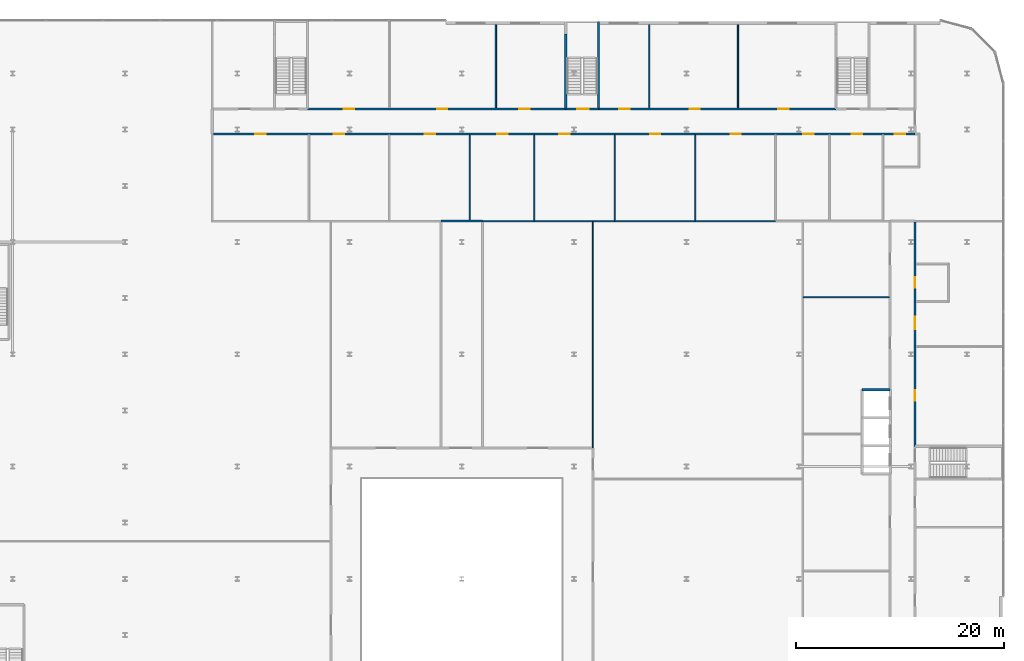
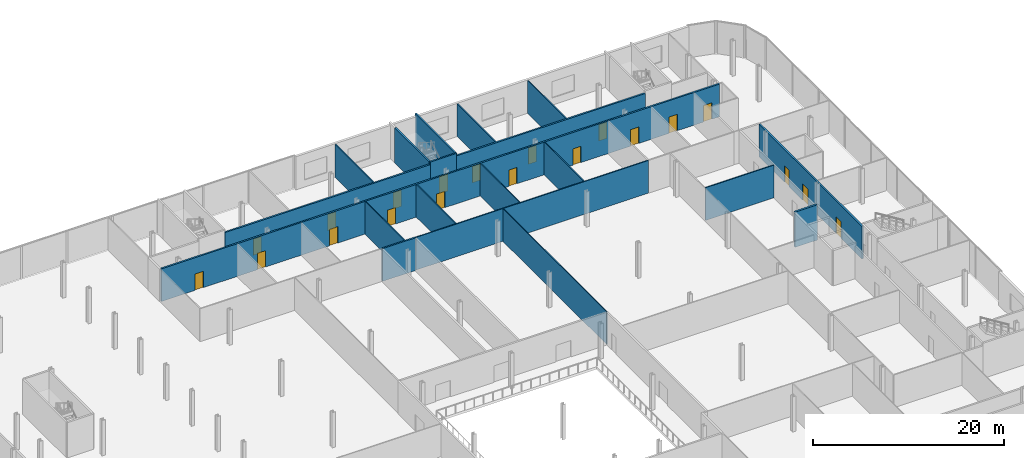
# One storey, part 35 of 47: 20 doors, 19 walls, 20 openings.
"""IFC4 building model written with IfcOpenShell, lengths in metres."""

from ifc_helpers import new_model, si_unit, direction, frame, frame_2d, origin, place, context, subcontext, project, spatial, rectangle, extrude, source, transform, mapped, material, layer, layer_set, type_object, element, fill, save


model = new_model("IFC4")

# Units and contexts
model_context = context("Model", 3, precision=1e-05, world=origin(), true_north=direction((0.0, 1.0)))
body_context = subcontext(model_context, "Body", "Model", "MODEL_VIEW")
ifc_project = project(units=[si_unit("LENGTHUNIT", "METRE"), si_unit("AREAUNIT", "SQUARE_METRE"), si_unit("VOLUMEUNIT", "CUBIC_METRE"), si_unit("PLANEANGLEUNIT", "RADIAN"), si_unit("MASSUNIT", "GRAM", prefix="KILO")], contexts=[model_context])

# Site, building, storey
site_placement = place(None, origin())
site = spatial("IfcSite", under=ifc_project, at=site_placement, CompositionType="ELEMENT")
building_placement = place(site_placement, origin())
building = spatial("IfcBuilding", under=site, at=building_placement, Name="Kheshtan School and Residences Tower", CompositionType="ELEMENT")
storey_placement = place(building_placement, frame((0.0, 0.0, 17.0)))
storey = spatial("IfcBuildingStorey", under=building, at=storey_placement, Name="L03", CompositionType="ELEMENT", Elevation=17.0)

# Walls
ifc_material_1 = material(Name="Gypsum board on steel studs with mineral wool", Category="steel")
ifc_layer_1 = layer(ifc_material_1, 0.125)
ifc_layer_set_1 = layer_set([ifc_layer_1], Name="Acoustic partition 125")
wall_type_1 = type_object("IfcWallType", Name="Acoustic partition 125", PredefinedType="PARTITIONING", material=ifc_layer_set_1)
wall_1_placement = place(storey_placement, frame((80.76904296875, 90.89990234375, 0.0), z_axis=(0.0, 0.0, 1.0), x_axis=(0.0, 1.0, 0.0)))
element("IfcWall", 1, at=wall_1_placement, inside=storey, type_object=wall_type_1, Name="Partition L03-039", PredefinedType="PARTITIONING", context=body_context, shape_type="SweptSolid", body=[
    extrude(rectangle(XDim=8.2001953125, YDim=0.125, at=frame_2d((4.10009765625, 0.0))), origin(), (0.0, 0.0, 1.0), 4.179931640625),
])
wall_2_placement = place(storey_placement, frame((82.0, 90.800048828125, 0.0), z_axis=(0.0, 0.0, 1.0), x_axis=(1.0, 0.0, 0.0)))
element("IfcWall", 2, at=wall_2_placement, inside=storey, type_object=wall_type_1, Name="Partition L03-041", PredefinedType="PARTITIONING", context=body_context, shape_type="SweptSolid", body=[
    extrude(rectangle(XDim=28.18310546875, YDim=0.125, at=frame_2d((14.091552734375, 0.0))), origin(), (0.0, 0.0, 1.0), 4.179931640625),
])
for number, where, z_axis, x_axis, name in (
    (3, (86.9619140625, 90.862060546875, 0.0), (0.0, 0.0, 1.0), (0.0, 1.0, 0.0), "Partition L03-043"),
    (4, (94.701904296875, 90.862060546875, 0.0), (0.0, 0.0, 1.0), (0.0, 1.0, 0.0), "Partition L03-058"),
):
    element("IfcWall", number, at=place(storey_placement, frame(where, z_axis=z_axis, x_axis=x_axis)), inside=storey, type_object=wall_type_1, Name=name, PredefinedType="PARTITIONING", context=body_context, shape_type="SweptSolid", body=[
        extrude(rectangle(XDim=8.238037109375, YDim=0.125, at=frame_2d((4.119140625, 0.0))), origin(), (0.0, 0.0, 1.0), 4.179931640625),
    ])
wall_3_placement = place(storey_placement, frame((98.037109375, 101.699951171875, 0.0), z_axis=(0.0, 0.0, 1.0), x_axis=(0.0, 1.0, 0.0)))
element("IfcWall", 5, at=wall_3_placement, inside=storey, type_object=wall_type_1, Name="Partition L03-059", PredefinedType="PARTITIONING", context=body_context, shape_type="SweptSolid", body=[
    extrude(rectangle(XDim=8.0009765625, YDim=0.125, at=frame_2d((4.00048828125, 0.0))), origin(), (0.0, 0.0, 1.0), 4.179931640625),
])
wall_4_placement = place(storey_placement, frame((102.443115234375, 90.862060546875, 0.0), z_axis=(0.0, 0.0, 1.0), x_axis=(0.0, 1.0, 0.0)))
element("IfcWall", 6, at=wall_4_placement, inside=storey, type_object=wall_type_1, Name="Partition L03-060", PredefinedType="PARTITIONING", context=body_context, shape_type="SweptSolid", body=[
    extrude(rectangle(XDim=8.238037109375, YDim=0.125, at=frame_2d((4.119140625, 0.0))), origin(), (0.0, 0.0, 1.0), 4.179931640625),
])
wall_5_placement = place(storey_placement, frame((106.55810546875, 101.699951171875, 0.0), z_axis=(0.0, 0.0, 1.0), x_axis=(0.0, 1.0, 0.0)))
element("IfcWall", 7, at=wall_5_placement, inside=storey, type_object=wall_type_1, Name="Partition L03-063", PredefinedType="PARTITIONING", context=body_context, shape_type="SweptSolid", body=[
    extrude(rectangle(XDim=8.0009765625, YDim=0.125, at=frame_2d((4.00048828125, 0.0))), origin(), (0.0, 0.0, 1.0), 4.179931640625),
])
wall_6_placement = place(storey_placement, frame((112.862060546875, 83.487060546875, 0.0), z_axis=(0.0, 0.0, 1.0), x_axis=(1.0, 0.0, 0.0)))
element("IfcWall", 8, at=wall_6_placement, inside=storey, type_object=wall_type_1, Name="Partition L03-072", PredefinedType="PARTITIONING", context=body_context, shape_type="SweptSolid", body=[
    extrude(rectangle(XDim=8.238037109375, YDim=0.125, at=frame_2d((4.119140625, 0.0))), origin(), (0.0, 0.0, 1.0), 4.179931640625),
])

# Wall, openings, doors
ifc_material_2 = material(Name="Gypsum board on steel studs with fire boards", Category="steel")
ifc_layer_2 = layer(ifc_material_2, 0.199951171875)
ifc_layer_set_2 = layer_set([ifc_layer_2], Name="Corridor wall 200")
wall_type_2 = type_object("IfcWallType", Name="Corridor wall 200", PredefinedType="PARTITIONING", material=ifc_layer_set_2)
wall_7_placement = place(storey_placement, frame((56.10009765625, 99.199951171875, 0.0), z_axis=(0.0, 0.0, 1.0), x_axis=(1.0, 0.0, 0.0)))
wall_7 = element("IfcWall", 9, at=wall_7_placement, inside=storey, type_object=wall_type_2, Name="Partition L03-024", PredefinedType="PARTITIONING", context=body_context, shape_type="SweptSolid", body=[
    extrude(rectangle(XDim=67.5, YDim=0.199951171875, at=frame_2d((33.75, 0.0))), origin(), (0.0, 0.0, 1.0), 4.179931640625),
])
opening_1_placement = place(wall_7_placement, frame((4.050048828125, 0.0, 0.0)))
opening_1 = element("IfcOpeningElement", 10, at=opening_1_placement, cuts=wall_7, Name="Opening D03-013", PredefinedType="OPENING", context=body_context, shape_type="SweptSolid", body=[
    extrude(rectangle(XDim=1.0, YDim=2.10009765625, at=frame_2d((0.5, 1.050048828125))), frame((0.0, 0.10986328125, 0.0), z_axis=(0.0, -1.0, 0.0), x_axis=(1.0, 0.0, 0.0)), (0.0, 0.0, 1.0), 0.219970703125),
])
opening_2_placement = place(wall_7_placement, frame((65.553955078125, 0.0, 0.0)))
opening_2 = element("IfcOpeningElement", 11, at=opening_2_placement, cuts=wall_7, Name="Opening D03-014", PredefinedType="OPENING", context=body_context, shape_type="SweptSolid", body=[
    extrude(rectangle(XDim=1.0, YDim=2.10009765625, at=frame_2d((0.5, 1.050048828125))), frame((0.0, 0.10986328125, 0.0), z_axis=(0.0, -1.0, 0.0), x_axis=(1.0, 0.0, 0.0)), (0.0, 0.0, 1.0), 0.219970703125),
])
opening_3_placement = place(wall_7_placement, frame((11.589111328125, 0.0, 0.0)))
opening_3 = element("IfcOpeningElement", 12, at=opening_3_placement, cuts=wall_7, Name="Opening D03-016", PredefinedType="OPENING", context=body_context, shape_type="SweptSolid", body=[
    extrude(rectangle(XDim=1.0, YDim=2.10009765625, at=frame_2d((0.5, 1.050048828125))), frame((0.0, 0.10986328125, 0.0), z_axis=(0.0, -1.0, 0.0), x_axis=(1.0, 0.0, 0.0)), (0.0, 0.0, 1.0), 0.219970703125),
])
opening_4_placement = place(wall_7_placement, frame((20.3291015625, 0.0, 0.0)))
opening_4 = element("IfcOpeningElement", 13, at=opening_4_placement, cuts=wall_7, Name="Opening D03-017", PredefinedType="OPENING", context=body_context, shape_type="SweptSolid", body=[
    extrude(rectangle(XDim=1.0, YDim=2.10009765625, at=frame_2d((0.5, 1.050048828125))), frame((0.0, 0.10986328125, 0.0), z_axis=(0.0, -1.0, 0.0), x_axis=(1.0, 0.0, 0.0)), (0.0, 0.0, 1.0), 0.219970703125),
])
opening_5_placement = place(wall_7_placement, frame((27.319091796875, 0.0, 0.0)))
opening_5 = element("IfcOpeningElement", 14, at=opening_5_placement, cuts=wall_7, Name="Opening D03-018", PredefinedType="OPENING", context=body_context, shape_type="SweptSolid", body=[
    extrude(rectangle(XDim=1.0, YDim=2.10009765625, at=frame_2d((0.5, 1.050048828125))), frame((0.0, 0.10986328125, 0.0), z_axis=(0.0, -1.0, 0.0), x_axis=(1.0, 0.0, 0.0)), (0.0, 0.0, 1.0), 0.219970703125),
])
opening_6_placement = place(wall_7_placement, frame((33.261962890625, 0.0, 0.0)))
opening_6 = element("IfcOpeningElement", 15, at=opening_6_placement, cuts=wall_7, Name="Opening D03-019", PredefinedType="OPENING", context=body_context, shape_type="SweptSolid", body=[
    extrude(rectangle(XDim=1.0, YDim=2.10009765625, at=frame_2d((0.5, 1.050048828125))), frame((0.0, 0.10986328125, 0.0), z_axis=(0.0, -1.0, 0.0), x_axis=(1.0, 0.0, 0.0)), (0.0, 0.0, 1.0), 0.219970703125),
])
opening_7_placement = place(wall_7_placement, frame((42.001953125, 0.0, 0.0)))
opening_7 = element("IfcOpeningElement", 16, at=opening_7_placement, cuts=wall_7, Name="Opening D03-020", PredefinedType="OPENING", context=body_context, shape_type="SweptSolid", body=[
    extrude(rectangle(XDim=1.0, YDim=2.10009765625, at=frame_2d((0.5, 1.050048828125))), frame((0.0, 0.10986328125, 0.0), z_axis=(0.0, -1.0, 0.0), x_axis=(1.0, 0.0, 0.0)), (0.0, 0.0, 1.0), 0.219970703125),
])
opening_8_placement = place(wall_7_placement, frame((49.742919921875, 0.0, 0.0)))
opening_8 = element("IfcOpeningElement", 17, at=opening_8_placement, cuts=wall_7, Name="Opening D03-021", PredefinedType="OPENING", context=body_context, shape_type="SweptSolid", body=[
    extrude(rectangle(XDim=1.0, YDim=2.10009765625, at=frame_2d((0.5, 1.050048828125))), frame((0.0, 0.10986328125, 0.0), z_axis=(0.0, -1.0, 0.0), x_axis=(1.0, 0.0, 0.0)), (0.0, 0.0, 1.0), 0.219970703125),
])
opening_9_placement = place(wall_7_placement, frame((56.73291015625, 0.0, 0.0)))
opening_9 = element("IfcOpeningElement", 18, at=opening_9_placement, cuts=wall_7, Name="Opening D03-022", PredefinedType="OPENING", context=body_context, shape_type="SweptSolid", body=[
    extrude(rectangle(XDim=1.0, YDim=2.10009765625, at=frame_2d((0.5, 1.050048828125))), frame((0.0, 0.10986328125, 0.0), z_axis=(0.0, -1.0, 0.0), x_axis=(1.0, 0.0, 0.0)), (0.0, 0.0, 1.0), 0.219970703125),
])
opening_10_placement = place(wall_7_placement, frame((61.39404296875, 0.0, 0.0)))
opening_10 = element("IfcOpeningElement", 19, at=opening_10_placement, cuts=wall_7, Name="Opening D03-023", PredefinedType="OPENING", context=body_context, shape_type="SweptSolid", body=[
    extrude(rectangle(XDim=1.0, YDim=2.10009765625, at=frame_2d((0.5, 1.050048828125))), frame((0.0, 0.10986328125, 0.0), z_axis=(0.0, -1.0, 0.0), x_axis=(1.0, 0.0, 0.0)), (0.0, 0.0, 1.0), 0.219970703125),
])
ifc_material_3 = material(Name="Steel-framed fire-resisting door leaf", Category="steel")
door_type_1 = type_object("IfcDoorType", Name="Fire door FD60 1000 x 2100", OperationType="SINGLE_SWING_LEFT", PredefinedType="DOOR", material=ifc_material_3)
shared_shape_1 = source(origin(), body_context, "Body", "SweptSolid", [
    extrude(rectangle(XDim=1.0, YDim=2.10009765625, at=frame_2d((0.5, 1.050048828125))), frame((0.0, 0.02490234375, 0.0), z_axis=(0.0, -1.0, 0.0), x_axis=(1.0, 0.0, 0.0)), (0.0, 0.0, 1.0), 0.050048828125),
])
door_1_placement = place(opening_1_placement, origin())
door_1 = element("IfcDoor", 20, at=door_1_placement, inside=storey, type_object=door_type_1, Name="Door D03-013", OperationType="SINGLE_SWING_LEFT", OverallHeight=2.10009765625, OverallWidth=1.0, PredefinedType="DOOR", context=body_context, shape_type="MappedRepresentation", body=[
    mapped(shared_shape_1, transform((0.0, 0.0, 0.0), x_axis=(1.0, 0.0, 0.0), y_axis=(0.0, 1.0, 0.0), z_axis=(0.0, 0.0, 1.0), scale=1.0)),
])
fill(opening_1, door_1)
door_2_placement = place(opening_2_placement, origin())
door_2 = element("IfcDoor", 21, at=door_2_placement, inside=storey, type_object=door_type_1, Name="Door D03-014", OperationType="SINGLE_SWING_RIGHT", OverallHeight=2.10009765625, OverallWidth=1.0, PredefinedType="DOOR", context=body_context, shape_type="MappedRepresentation", body=[
    mapped(shared_shape_1, transform((0.0, 0.0, 0.0), x_axis=(1.0, 0.0, 0.0), y_axis=(0.0, 1.0, 0.0), z_axis=(0.0, 0.0, 1.0), scale=1.0)),
])
fill(opening_2, door_2)
door_3_placement = place(opening_3_placement, origin())
door_3 = element("IfcDoor", 22, at=door_3_placement, inside=storey, type_object=door_type_1, Name="Door D03-016", OperationType="SINGLE_SWING_LEFT", OverallHeight=2.10009765625, OverallWidth=1.0, PredefinedType="DOOR", context=body_context, shape_type="MappedRepresentation", body=[
    mapped(shared_shape_1, transform((0.0, 0.0, 0.0), x_axis=(1.0, 0.0, 0.0), y_axis=(0.0, 1.0, 0.0), z_axis=(0.0, 0.0, 1.0), scale=1.0)),
])
fill(opening_3, door_3)
door_4_placement = place(opening_4_placement, origin())
door_4 = element("IfcDoor", 23, at=door_4_placement, inside=storey, type_object=door_type_1, Name="Door D03-017", OperationType="SINGLE_SWING_RIGHT", OverallHeight=2.10009765625, OverallWidth=1.0, PredefinedType="DOOR", context=body_context, shape_type="MappedRepresentation", body=[
    mapped(shared_shape_1, transform((0.0, 0.0, 0.0), x_axis=(1.0, 0.0, 0.0), y_axis=(0.0, 1.0, 0.0), z_axis=(0.0, 0.0, 1.0), scale=1.0)),
])
fill(opening_4, door_4)
door_5_placement = place(opening_5_placement, origin())
door_5 = element("IfcDoor", 24, at=door_5_placement, inside=storey, type_object=door_type_1, Name="Door D03-018", OperationType="SINGLE_SWING_RIGHT", OverallHeight=2.10009765625, OverallWidth=1.0, PredefinedType="DOOR", context=body_context, shape_type="MappedRepresentation", body=[
    mapped(shared_shape_1, transform((0.0, 0.0, 0.0), x_axis=(1.0, 0.0, 0.0), y_axis=(0.0, 1.0, 0.0), z_axis=(0.0, 0.0, 1.0), scale=1.0)),
])
fill(opening_5, door_5)
door_6_placement = place(opening_6_placement, origin())
door_6 = element("IfcDoor", 25, at=door_6_placement, inside=storey, type_object=door_type_1, Name="Door D03-019", OperationType="SINGLE_SWING_RIGHT", OverallHeight=2.10009765625, OverallWidth=1.0, PredefinedType="DOOR", context=body_context, shape_type="MappedRepresentation", body=[
    mapped(shared_shape_1, transform((0.0, 0.0, 0.0), x_axis=(1.0, 0.0, 0.0), y_axis=(0.0, 1.0, 0.0), z_axis=(0.0, 0.0, 1.0), scale=1.0)),
])
fill(opening_6, door_6)
door_7_placement = place(opening_7_placement, origin())
door_7 = element("IfcDoor", 26, at=door_7_placement, inside=storey, type_object=door_type_1, Name="Door D03-020", OperationType="SINGLE_SWING_LEFT", OverallHeight=2.10009765625, OverallWidth=1.0, PredefinedType="DOOR", context=body_context, shape_type="MappedRepresentation", body=[
    mapped(shared_shape_1, transform((0.0, 0.0, 0.0), x_axis=(1.0, 0.0, 0.0), y_axis=(0.0, 1.0, 0.0), z_axis=(0.0, 0.0, 1.0), scale=1.0)),
])
fill(opening_7, door_7)
door_8_placement = place(opening_8_placement, origin())
door_8 = element("IfcDoor", 27, at=door_8_placement, inside=storey, type_object=door_type_1, Name="Door D03-021", OperationType="SINGLE_SWING_RIGHT", OverallHeight=2.10009765625, OverallWidth=1.0, PredefinedType="DOOR", context=body_context, shape_type="MappedRepresentation", body=[
    mapped(shared_shape_1, transform((0.0, 0.0, 0.0), x_axis=(1.0, 0.0, 0.0), y_axis=(0.0, 1.0, 0.0), z_axis=(0.0, 0.0, 1.0), scale=1.0)),
])
fill(opening_8, door_8)
door_9_placement = place(opening_9_placement, origin())
door_9 = element("IfcDoor", 28, at=door_9_placement, inside=storey, type_object=door_type_1, Name="Door D03-022", OperationType="SINGLE_SWING_LEFT", OverallHeight=2.10009765625, OverallWidth=1.0, PredefinedType="DOOR", context=body_context, shape_type="MappedRepresentation", body=[
    mapped(shared_shape_1, transform((0.0, 0.0, 0.0), x_axis=(1.0, 0.0, 0.0), y_axis=(0.0, 1.0, 0.0), z_axis=(0.0, 0.0, 1.0), scale=1.0)),
])
fill(opening_9, door_9)
door_10_placement = place(opening_10_placement, origin())
door_10 = element("IfcDoor", 29, at=door_10_placement, inside=storey, type_object=door_type_1, Name="Door D03-023", OperationType="SINGLE_SWING_LEFT", OverallHeight=2.10009765625, OverallWidth=1.0, PredefinedType="DOOR", context=body_context, shape_type="MappedRepresentation", body=[
    mapped(shared_shape_1, transform((0.0, 0.0, 0.0), x_axis=(1.0, 0.0, 0.0), y_axis=(0.0, 1.0, 0.0), z_axis=(0.0, 0.0, 1.0), scale=1.0)),
])
fill(opening_10, door_10)

wall_8_placement = place(storey_placement, frame((65.14990234375, 101.60009765625, 0.0), z_axis=(0.0, 0.0, 1.0), x_axis=(1.0, 0.0, 0.0)))
wall_8 = element("IfcWall", 30, at=wall_8_placement, inside=storey, type_object=wall_type_2, Name="Partition L03-026", PredefinedType="PARTITIONING", context=body_context, shape_type="SweptSolid", body=[
    extrude(rectangle(XDim=24.85009765625, YDim=0.199951171875, at=frame_2d((12.425048828125, 0.0))), origin(), (0.0, 0.0, 1.0), 4.179931640625),
])
opening_11_placement = place(wall_8_placement, frame((3.491943359375, 0.0, 0.0)))
opening_11 = element("IfcOpeningElement", 31, at=opening_11_placement, cuts=wall_8, Name="Opening D03-025", PredefinedType="OPENING", context=body_context, shape_type="SweptSolid", body=[
    extrude(rectangle(XDim=1.0, YDim=2.10009765625, at=frame_2d((0.5, 1.050048828125))), frame((0.0, 0.10986328125, 0.0), z_axis=(0.0, -1.0, 0.0), x_axis=(1.0, 0.0, 0.0)), (0.0, 0.0, 1.0), 0.219970703125),
])
opening_12_placement = place(wall_8_placement, frame((12.467041015625, 0.0, 0.0)))
opening_12 = element("IfcOpeningElement", 32, at=opening_12_placement, cuts=wall_8, Name="Opening D03-026", PredefinedType="OPENING", context=body_context, shape_type="SweptSolid", body=[
    extrude(rectangle(XDim=1.0, YDim=2.10009765625, at=frame_2d((0.5, 1.050048828125))), frame((0.0, 0.10986328125, 0.0), z_axis=(0.0, -1.0, 0.0), x_axis=(1.0, 0.0, 0.0)), (0.0, 0.0, 1.0), 0.219970703125),
])
opening_13_placement = place(wall_8_placement, frame((20.39794921875, 0.0, 0.0)))
opening_13 = element("IfcOpeningElement", 33, at=opening_13_placement, cuts=wall_8, Name="Opening D03-027", PredefinedType="OPENING", context=body_context, shape_type="SweptSolid", body=[
    extrude(rectangle(XDim=1.0, YDim=2.10009765625, at=frame_2d((0.5, 1.050048828125))), frame((0.0, 0.10986328125, 0.0), z_axis=(0.0, -1.0, 0.0), x_axis=(1.0, 0.0, 0.0)), (0.0, 0.0, 1.0), 0.219970703125),
])
door_11_placement = place(opening_11_placement, origin())
door_11 = element("IfcDoor", 34, at=door_11_placement, inside=storey, type_object=door_type_1, Name="Door D03-025", OperationType="SINGLE_SWING_LEFT", OverallHeight=2.10009765625, OverallWidth=1.0, PredefinedType="DOOR", context=body_context, shape_type="MappedRepresentation", body=[
    mapped(shared_shape_1, transform((0.0, 0.0, 0.0), x_axis=(1.0, 0.0, 0.0), y_axis=(0.0, 1.0, 0.0), z_axis=(0.0, 0.0, 1.0), scale=1.0)),
])
fill(opening_11, door_11)
door_12_placement = place(opening_12_placement, origin())
door_12 = element("IfcDoor", 35, at=door_12_placement, inside=storey, type_object=door_type_1, Name="Door D03-026", OperationType="SINGLE_SWING_LEFT", OverallHeight=2.10009765625, OverallWidth=1.0, PredefinedType="DOOR", context=body_context, shape_type="MappedRepresentation", body=[
    mapped(shared_shape_1, transform((0.0, 0.0, 0.0), x_axis=(1.0, 0.0, 0.0), y_axis=(0.0, 1.0, 0.0), z_axis=(0.0, 0.0, 1.0), scale=1.0)),
])
fill(opening_12, door_12)
door_13_placement = place(opening_13_placement, origin())
door_13 = element("IfcDoor", 36, at=door_13_placement, inside=storey, type_object=door_type_1, Name="Door D03-027", OperationType="SINGLE_SWING_RIGHT", OverallHeight=2.10009765625, OverallWidth=1.0, PredefinedType="DOOR", context=body_context, shape_type="MappedRepresentation", body=[
    mapped(shared_shape_1, transform((0.0, 0.0, 0.0), x_axis=(1.0, 0.0, 0.0), y_axis=(0.0, 1.0, 0.0), z_axis=(0.0, 0.0, 1.0), scale=1.0)),
])
fill(opening_13, door_13)

# Wall
wall_9_placement = place(storey_placement, frame((78.0, 90.800048828125, 0.0), z_axis=(0.0, 0.0, 1.0), x_axis=(1.0, 0.0, 0.0)))
element("IfcWall", 37, at=wall_9_placement, inside=storey, type_object=wall_type_2, Name="Partition L03-037", PredefinedType="PARTITIONING", context=body_context, shape_type="SweptSolid", body=[
    extrude(rectangle(XDim=4.0, YDim=0.199951171875, at=frame_2d((2.0, 0.0))), origin(), (0.0, 0.0, 1.0), 4.179931640625),
])

# Wall, openings, doors
wall_10_placement = place(storey_placement, frame((93.14990234375, 101.60009765625, 0.0), z_axis=(0.0, 0.0, 1.0), x_axis=(1.0, 0.0, 0.0)))
wall_10 = element("IfcWall", 38, at=wall_10_placement, inside=storey, type_object=wall_type_2, Name="Partition L03-057", PredefinedType="PARTITIONING", context=body_context, shape_type="SweptSolid", body=[
    extrude(rectangle(XDim=22.85009765625, YDim=0.199951171875, at=frame_2d((11.425048828125, 0.0))), origin(), (0.0, 0.0, 1.0), 4.179931640625),
])
opening_14_placement = place(wall_10_placement, frame((1.987060546875, 0.0, 0.0)))
opening_14 = element("IfcOpeningElement", 39, at=opening_14_placement, cuts=wall_10, Name="Opening D03-028", PredefinedType="OPENING", context=body_context, shape_type="SweptSolid", body=[
    extrude(rectangle(XDim=1.0, YDim=2.10009765625, at=frame_2d((0.5, 1.050048828125))), frame((0.0, 0.10986328125, 0.0), z_axis=(0.0, -1.0, 0.0), x_axis=(1.0, 0.0, 0.0)), (0.0, 0.0, 1.0), 0.219970703125),
])
opening_15_placement = place(wall_10_placement, frame((8.758056640625, 0.0, 0.0)))
opening_15 = element("IfcOpeningElement", 40, at=opening_15_placement, cuts=wall_10, Name="Opening D03-029", PredefinedType="OPENING", context=body_context, shape_type="SweptSolid", body=[
    extrude(rectangle(XDim=1.0, YDim=2.10009765625, at=frame_2d((0.5, 1.050048828125))), frame((0.0, 0.10986328125, 0.0), z_axis=(0.0, -1.0, 0.0), x_axis=(1.0, 0.0, 0.0)), (0.0, 0.0, 1.0), 0.219970703125),
])
opening_16_placement = place(wall_10_placement, frame((17.279052734375, 0.0, 0.0)))
opening_16 = element("IfcOpeningElement", 41, at=opening_16_placement, cuts=wall_10, Name="Opening D03-030", PredefinedType="OPENING", context=body_context, shape_type="SweptSolid", body=[
    extrude(rectangle(XDim=1.0, YDim=2.10009765625, at=frame_2d((0.5, 1.050048828125))), frame((0.0, 0.10986328125, 0.0), z_axis=(0.0, -1.0, 0.0), x_axis=(1.0, 0.0, 0.0)), (0.0, 0.0, 1.0), 0.219970703125),
])
door_14_placement = place(opening_14_placement, origin())
door_14 = element("IfcDoor", 42, at=door_14_placement, inside=storey, type_object=door_type_1, Name="Door D03-028", OperationType="SINGLE_SWING_RIGHT", OverallHeight=2.10009765625, OverallWidth=1.0, PredefinedType="DOOR", context=body_context, shape_type="MappedRepresentation", body=[
    mapped(shared_shape_1, transform((0.0, 0.0, 0.0), x_axis=(1.0, 0.0, 0.0), y_axis=(0.0, 1.0, 0.0), z_axis=(0.0, 0.0, 1.0), scale=1.0)),
])
fill(opening_14, door_14)
door_15_placement = place(opening_15_placement, origin())
door_15 = element("IfcDoor", 43, at=door_15_placement, inside=storey, type_object=door_type_1, Name="Door D03-029", OperationType="SINGLE_SWING_RIGHT", OverallHeight=2.10009765625, OverallWidth=1.0, PredefinedType="DOOR", context=body_context, shape_type="MappedRepresentation", body=[
    mapped(shared_shape_1, transform((0.0, 0.0, 0.0), x_axis=(1.0, 0.0, 0.0), y_axis=(0.0, 1.0, 0.0), z_axis=(0.0, 0.0, 1.0), scale=1.0)),
])
fill(opening_15, door_15)
door_16_placement = place(opening_16_placement, origin())
door_16 = element("IfcDoor", 44, at=door_16_placement, inside=storey, type_object=door_type_1, Name="Door D03-030", OperationType="SINGLE_SWING_LEFT", OverallHeight=2.10009765625, OverallWidth=1.0, PredefinedType="DOOR", context=body_context, shape_type="MappedRepresentation", body=[
    mapped(shared_shape_1, transform((0.0, 0.0, 0.0), x_axis=(1.0, 0.0, 0.0), y_axis=(0.0, 1.0, 0.0), z_axis=(0.0, 0.0, 1.0), scale=1.0)),
])
fill(opening_16, door_16)

wall_11_placement = place(storey_placement, frame((123.60009765625, 69.14990234375, 0.0), z_axis=(0.0, 0.0, 1.0), x_axis=(0.0, 1.0, 0.0)))
wall_11 = element("IfcWall", 45, at=wall_11_placement, inside=storey, type_object=wall_type_2, Name="Partition L03-086", PredefinedType="PARTITIONING", context=body_context, shape_type="SweptSolid", body=[
    extrude(rectangle(XDim=21.550048828125, YDim=0.199951171875, at=frame_2d((10.77490234375, 0.0))), origin(), (0.0, 0.0, 1.0), 4.179931640625),
])
opening_17_placement = place(wall_11_placement, frame((4.39990234375, 0.0, 0.0)))
opening_17 = element("IfcOpeningElement", 46, at=opening_17_placement, cuts=wall_11, Name="Opening D03-007", PredefinedType="OPENING", context=body_context, shape_type="SweptSolid", body=[
    extrude(rectangle(XDim=1.0, YDim=2.10009765625, at=frame_2d((0.5, 1.050048828125))), frame((0.0, 0.10986328125, 0.0), z_axis=(0.0, -1.0, 0.0), x_axis=(1.0, 0.0, 0.0)), (0.0, 0.0, 1.0), 0.219970703125),
])
opening_18_placement = place(wall_11_placement, frame((15.238037109375, 0.0, 0.0)))
opening_18 = element("IfcOpeningElement", 47, at=opening_18_placement, cuts=wall_11, Name="Opening D03-008", PredefinedType="OPENING", context=body_context, shape_type="SweptSolid", body=[
    extrude(rectangle(XDim=1.0, YDim=2.10009765625, at=frame_2d((0.5, 1.050048828125))), frame((0.0, 0.10986328125, 0.0), z_axis=(0.0, -1.0, 0.0), x_axis=(1.0, 0.0, 0.0)), (0.0, 0.0, 1.0), 0.219970703125),
])
opening_19_placement = place(wall_11_placement, frame((11.238037109375, 0.0, 0.0)))
opening_19 = element("IfcOpeningElement", 48, at=opening_19_placement, cuts=wall_11, Name="Opening D03-009", PredefinedType="OPENING", context=body_context, shape_type="SweptSolid", body=[
    extrude(rectangle(XDim=1.199951171875, YDim=2.10009765625, at=frame_2d((0.60009765625, 1.050048828125))), frame((0.0, 0.10986328125, 0.0), z_axis=(0.0, -1.0, 0.0), x_axis=(1.0, 0.0, 0.0)), (0.0, 0.0, 1.0), 0.219970703125),
])
door_17_placement = place(opening_17_placement, origin())
door_17 = element("IfcDoor", 49, at=door_17_placement, inside=storey, type_object=door_type_1, Name="Door D03-007", OperationType="SINGLE_SWING_LEFT", OverallHeight=2.10009765625, OverallWidth=1.0, PredefinedType="DOOR", context=body_context, shape_type="MappedRepresentation", body=[
    mapped(shared_shape_1, transform((0.0, 0.0, 0.0), x_axis=(1.0, 0.0, 0.0), y_axis=(0.0, 1.0, 0.0), z_axis=(0.0, 0.0, 1.0), scale=1.0)),
])
fill(opening_17, door_17)
door_18_placement = place(opening_18_placement, origin())
door_18 = element("IfcDoor", 50, at=door_18_placement, inside=storey, type_object=door_type_1, Name="Door D03-008", OperationType="SINGLE_SWING_LEFT", OverallHeight=2.10009765625, OverallWidth=1.0, PredefinedType="DOOR", context=body_context, shape_type="MappedRepresentation", body=[
    mapped(shared_shape_1, transform((0.0, 0.0, 0.0), x_axis=(1.0, 0.0, 0.0), y_axis=(0.0, 1.0, 0.0), z_axis=(0.0, 0.0, 1.0), scale=1.0)),
])
fill(opening_18, door_18)
door_type_2 = type_object("IfcDoorType", Name="Fire door FD60 1200 x 2100", OperationType="SINGLE_SWING_LEFT", PredefinedType="DOOR", material=ifc_material_3)
shared_shape_2 = source(origin(), body_context, "Body", "SweptSolid", [
    extrude(rectangle(XDim=1.199951171875, YDim=2.10009765625, at=frame_2d((0.60009765625, 1.050048828125))), frame((0.0, 0.02490234375, 0.0), z_axis=(0.0, -1.0, 0.0), x_axis=(1.0, 0.0, 0.0)), (0.0, 0.0, 1.0), 0.050048828125),
])
door_19_placement = place(opening_19_placement, origin())
door_19 = element("IfcDoor", 51, at=door_19_placement, inside=storey, type_object=door_type_2, Name="Door D03-009", OperationType="SINGLE_SWING_LEFT", OverallHeight=2.10009765625, OverallWidth=1.199951171875, PredefinedType="DOOR", context=body_context, shape_type="MappedRepresentation", body=[
    mapped(shared_shape_2, transform((0.0, 0.0, 0.0), x_axis=(1.0, 0.0, 0.0), y_axis=(0.0, 1.0, 0.0), z_axis=(0.0, 0.0, 1.0), scale=1.0)),
])
fill(opening_19, door_19)

# Walls
ifc_material_4 = material(Name="Gypsum board on steel studs", Category="steel")
ifc_layer_3 = layer(ifc_material_4, 0.10009765625)
ifc_layer_set_3 = layer_set([ifc_layer_3], Name="Gypsum partition 100")
wall_type_3 = type_object("IfcWallType", Name="Gypsum partition 100", PredefinedType="PARTITIONING", material=ifc_layer_set_3)
wall_12_placement = place(storey_placement, frame((92.60009765625, 69.0, 0.0), z_axis=(0.0, 0.0, 1.0), x_axis=(0.0, 1.0, 0.0)))
element("IfcWall", 52, at=wall_12_placement, inside=storey, type_object=wall_type_3, Name="Partition L03-055", PredefinedType="PARTITIONING", context=body_context, shape_type="SweptSolid", body=[
    extrude(rectangle(XDim=21.738037109375, YDim=0.10009765625, at=frame_2d((10.869140625, 0.0))), origin(), (0.0, 0.0, 1.0), 4.179931640625),
])
ifc_material_5 = material(Name="Fire-board shaft wall system")
ifc_layer_4 = layer(ifc_material_5, 0.25)
ifc_layer_set_4 = layer_set([ifc_layer_4], Name="Shaft lining wall 250")
wall_type_4 = type_object("IfcWallType", Name="Shaft lining wall 250", PredefinedType="PARTITIONING", material=ifc_layer_set_4)
wall_13_placement = place(storey_placement, frame((118.5, 74.60009765625, 0.0), z_axis=(0.0, 0.0, 1.0), x_axis=(1.0, 0.0, 0.0)))
element("IfcWall", 53, at=wall_13_placement, inside=storey, type_object=wall_type_4, Name="Shaft lining wall", PredefinedType="PARTITIONING", context=body_context, shape_type="SweptSolid", body=[
    extrude(rectangle(XDim=2.699951171875, YDim=0.25, at=frame_2d((1.35009765625, 0.0))), origin(), (0.0, 0.0, 1.0), 4.5),
])

# Wall, opening, door
ifc_material_6 = material(Name="Concrete C40/50", Category="concrete")
ifc_layer_5 = layer(ifc_material_6, 0.199951171875)
ifc_layer_set_5 = layer_set([ifc_layer_5], Name="Stair enclosure wall 200 Concrete C40/50")
wall_type_5 = type_object("IfcWallType", Name="Stair enclosure wall 200 Concrete C40/50", PredefinedType="SHEAR", material=ifc_layer_set_5)
wall_14_placement = place(storey_placement, frame((90.0, 101.60009765625, 0.0), z_axis=(0.0, 0.0, 1.0), x_axis=(1.0, 0.0, 0.0)))
wall_14 = element("IfcWall", 54, at=wall_14_placement, inside=storey, type_object=wall_type_5, Name="Stair enclosure wall", PredefinedType="SHEAR", context=body_context, shape_type="SweptSolid", body=[
    extrude(rectangle(XDim=3.14990234375, YDim=0.199951171875, at=frame_2d((1.574951171875, 0.0))), origin(), (0.0, 0.0, 1.0), 4.5),
])
opening_20_placement = place(wall_14_placement, frame((1.10009765625, 0.0, 0.0)))
opening_20 = element("IfcOpeningElement", 55, at=opening_20_placement, cuts=wall_14, Name="Opening SD90", PredefinedType="OPENING", context=body_context, shape_type="SweptSolid", body=[
    extrude(rectangle(XDim=1.10009765625, YDim=2.199951171875, at=frame_2d((0.550048828125, 1.10009765625))), frame((0.0, 0.10986328125, 0.0), z_axis=(0.0, -1.0, 0.0), x_axis=(1.0, 0.0, 0.0)), (0.0, 0.0, 1.0), 0.219970703125),
])
ifc_material_7 = material(Name="Steel door leaf, galvanised", Category="steel")
door_type_3 = type_object("IfcDoorType", Name="Stair door 1100 steel 90 min", OperationType="SINGLE_SWING_LEFT", PredefinedType="DOOR", material=ifc_material_7)
shared_shape_3 = source(origin(), body_context, "Body", "SweptSolid", [
    extrude(rectangle(XDim=1.10009765625, YDim=2.199951171875, at=frame_2d((0.550048828125, 1.10009765625))), frame((0.0, 0.02490234375, 0.0), z_axis=(0.0, -1.0, 0.0), x_axis=(1.0, 0.0, 0.0)), (0.0, 0.0, 1.0), 0.050048828125),
])
door_20_placement = place(opening_20_placement, origin())
door_20 = element("IfcDoor", 56, at=door_20_placement, inside=storey, type_object=door_type_3, Name="Stair door", OperationType="SINGLE_SWING_RIGHT", OverallHeight=2.199951171875, OverallWidth=1.10009765625, PredefinedType="DOOR", context=body_context, shape_type="MappedRepresentation", body=[
    mapped(shared_shape_3, transform((0.0, 0.0, 0.0), x_axis=(1.0, 0.0, 0.0), y_axis=(0.0, 1.0, 0.0), z_axis=(0.0, 0.0, 1.0), scale=1.0)),
])
fill(opening_20, door_20)

# Walls
wall_15_placement = place(storey_placement, frame((90.0, 101.60009765625, 0.0), z_axis=(0.0, 0.0, 1.0), x_axis=(0.0, 1.0, 0.0)))
element("IfcWall", 57, at=wall_15_placement, inside=storey, type_object=wall_type_5, Name="Stair enclosure wall", PredefinedType="SHEAR", context=body_context, shape_type="SweptSolid", body=[
    extrude(rectangle(XDim=7.199951171875, YDim=0.199951171875, at=frame_2d((3.60009765625, 0.0))), origin(), (0.0, 0.0, 1.0), 4.5),
])
wall_16_placement = place(storey_placement, frame((93.14990234375, 101.60009765625, 0.0), z_axis=(0.0, 0.0, 1.0), x_axis=(0.0, 1.0, 0.0)))
element("IfcWall", 58, at=wall_16_placement, inside=storey, type_object=wall_type_5, Name="Stair enclosure wall", PredefinedType="SHEAR", context=body_context, shape_type="SweptSolid", body=[
    extrude(rectangle(XDim=8.39990234375, YDim=0.199951171875, at=frame_2d((4.199951171875, 0.0))), origin(), (0.0, 0.0, 1.0), 4.5),
])
ifc_material_8 = material(Name="Moisture-resistant gypsum board on steel studs", Category="steel")
ifc_layer_6 = layer(ifc_material_8, 0.14990234375)
ifc_layer_set_6 = layer_set([ifc_layer_6], Name="Wet-room partition 150")
wall_type_6 = type_object("IfcWallType", Name="Wet-room partition 150", PredefinedType="PARTITIONING", material=ifc_layer_set_6)
wall_17_placement = place(storey_placement, frame((83.26708984375, 101.699951171875, 0.0), z_axis=(0.0, 0.0, 1.0), x_axis=(0.0, 1.0, 0.0)))
element("IfcWall", 59, at=wall_17_placement, inside=storey, type_object=wall_type_6, Name="Partition L03-042", PredefinedType="PARTITIONING", context=body_context, shape_type="SweptSolid", body=[
    extrude(rectangle(XDim=8.0009765625, YDim=0.14990234375, at=frame_2d((4.00048828125, 0.0))), origin(), (0.0, 0.0, 1.0), 4.179931640625),
])

save(model, "model.ifc")
